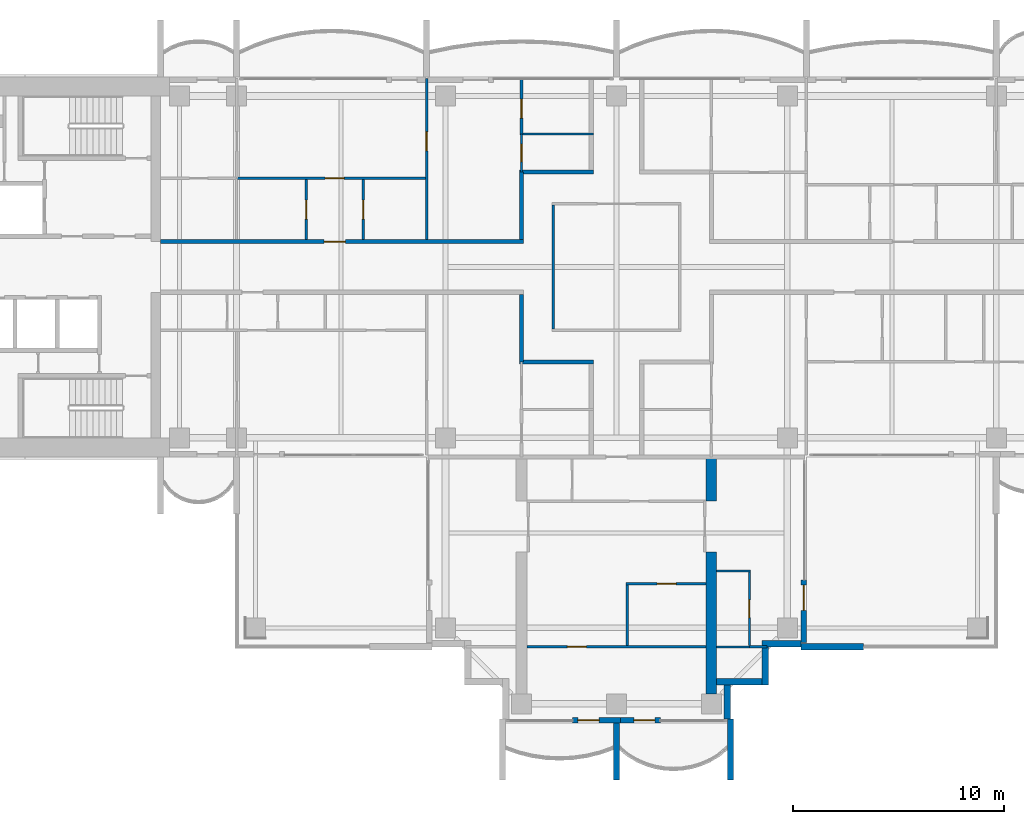
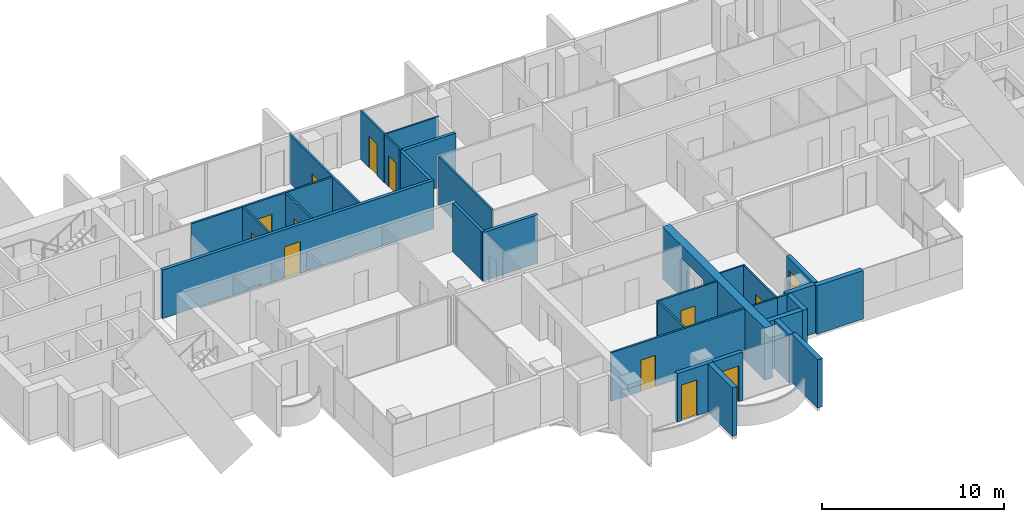
# One storey, part 10 of 18: 31 walls, 13 doors, 13 openings.
"""IFC4 building model written with IfcOpenShell, lengths in metres."""

from ifc_helpers import new_model, si_unit, direction, frame, frame_2d, origin, place, context, subcontext, project, spatial, polyline, rectangle, outline, extrude, material, layer, layer_set, material_profile, profile_set, type_object, element, fill, save


model = new_model("IFC4")

# Units and contexts
model_context = context("Model", 3, precision=1e-05, world=origin(), true_north=direction((0.0, 1.0)))
body_context = subcontext(model_context, "Body", "Model", "MODEL_VIEW")
ifc_project = project(units=[si_unit("LENGTHUNIT", "METRE"), si_unit("AREAUNIT", "SQUARE_METRE"), si_unit("VOLUMEUNIT", "CUBIC_METRE"), si_unit("PLANEANGLEUNIT", "RADIAN"), si_unit("MASSUNIT", "GRAM", prefix="KILO")], contexts=[model_context])

# Site, building, storey
site_placement = place(None, origin())
site = spatial("IfcSite", under=ifc_project, at=site_placement, CompositionType="ELEMENT")
building_placement = place(site_placement, origin())
building = spatial("IfcBuilding", under=site, at=building_placement, Name="Perihelion Cross Residences", CompositionType="ELEMENT")
storey_placement = place(building_placement, frame((0.0, 0.0, 177.10009765625)))
storey = spatial("IfcBuildingStorey", under=building, at=storey_placement, Name="L43", CompositionType="ELEMENT", Elevation=177.10009765625)

# Wall, opening, door
ifc_material_1 = material(Name="Plasterboard partition")
ifc_layer_1 = layer(ifc_material_1, 0.199951171875)
ifc_layer_set_1 = layer_set([ifc_layer_1], Name="Apartment separation wall 200")
wall_type_1 = type_object("IfcWallType", Name="Apartment separation wall 200", PredefinedType="PARTITIONING", material=ifc_layer_set_1)
wall_1_placement = place(storey_placement, frame((-21.60009765625, 1.199951171875, 0.0), z_axis=(0.0, 0.0, 1.0), x_axis=(1.0, 0.0, 0.0)))
wall_1 = element("IfcWall", 1, at=wall_1_placement, inside=storey, type_object=wall_type_1, Name="Partition L43 W013", PredefinedType="PARTITIONING", context=body_context, shape_type="SweptSolid", body=[
    extrude(rectangle(XDim=17.2001953125, YDim=0.199951171875, at=frame_2d((8.60009765625, 0.0))), origin(), (0.0, 0.0, 1.0), 3.25),
])
opening_1_placement = place(wall_1_placement, frame((7.75, 0.0, 0.0)))
opening_1 = element("IfcOpeningElement", 2, at=opening_1_placement, cuts=wall_1, Name="Opening L43.A42", PredefinedType="OPENING", context=body_context, shape_type="SweptSolid", body=[
    extrude(rectangle(XDim=1.0, YDim=2.10009765625, at=frame_2d((0.5, 1.050048828125))), frame((0.0, 0.10986328125, 0.0), z_axis=(0.0, -1.0, 0.0), x_axis=(1.0, 0.0, 0.0)), (0.0, 0.0, 1.0), 0.219970703125),
])
ifc_material_2 = material(Name="Timber door leaf", Category="wood")
door_type_1 = type_object("IfcDoorType", Name="Flat entrance door 1000 x 2100", OperationType="SINGLE_SWING_LEFT", PredefinedType="DOOR", material=ifc_material_2)
door_1_placement = place(opening_1_placement, origin())
door_1 = element("IfcDoor", 3, at=door_1_placement, inside=storey, type_object=door_type_1, Name="Door L43.A42", OperationType="SINGLE_SWING_RIGHT", OverallHeight=2.10009765625, OverallWidth=1.0, PredefinedType="DOOR", context=body_context, shape_type="SweptSolid", body=[
    extrude(rectangle(XDim=1.0, YDim=2.10009765625, at=frame_2d((0.5, 1.050048828125))), frame((0.0, 0.02490234375, 0.0), z_axis=(0.0, -1.0, 0.0), x_axis=(1.0, 0.0, 0.0)), (0.0, 0.0, 1.0), 0.050048828125),
])
fill(opening_1, door_1)

# Walls
wall_2_placement = place(storey_placement, frame((-4.5, 1.300048828125, 0.0), z_axis=(0.0, 0.0, 1.0), x_axis=(0.0, 1.0, 0.0)))
element("IfcWall", 4, at=wall_2_placement, inside=storey, type_object=wall_type_1, Name="Partition L43 W014", PredefinedType="PARTITIONING", context=body_context, shape_type="SweptSolid", body=[
    extrude(rectangle(XDim=3.199951171875, YDim=0.199951171875, at=frame_2d((1.60009765625, 0.0))), origin(), (0.0, 0.0, 1.0), 3.25),
])
wall_3_placement = place(storey_placement, frame((-4.60009765625, 4.5, 0.0), z_axis=(0.0, 0.0, 1.0), x_axis=(1.0, 0.0, 0.0)))
element("IfcWall", 5, at=wall_3_placement, inside=storey, type_object=wall_type_1, Name="Partition L43 W015", PredefinedType="PARTITIONING", context=body_context, shape_type="SweptSolid", body=[
    extrude(rectangle(XDim=3.5, YDim=0.199951171875, at=frame_2d((1.75, 0.0))), origin(), (0.0, 0.0, 1.0), 3.25),
])
wall_4_placement = place(storey_placement, frame((-4.5, -4.5, 0.0), z_axis=(0.0, 0.0, 1.0), x_axis=(0.0, 1.0, 0.0)))
element("IfcWall", 6, at=wall_4_placement, inside=storey, type_object=wall_type_1, Name="Partition L43 W018", PredefinedType="PARTITIONING", context=body_context, shape_type="SweptSolid", body=[
    extrude(rectangle(XDim=3.199951171875, YDim=0.199951171875, at=frame_2d((1.60009765625, 0.0))), origin(), (0.0, 0.0, 1.0), 3.25),
])
wall_5_placement = place(storey_placement, frame((-1.10009765625, -4.5, 0.0), z_axis=(0.0, 0.0, 1.0), x_axis=(-1.0, 0.0, 0.0)))
element("IfcWall", 7, at=wall_5_placement, inside=storey, type_object=wall_type_1, Name="Partition L43 W020", PredefinedType="PARTITIONING", context=body_context, shape_type="SweptSolid", body=[
    extrude(rectangle(XDim=3.5, YDim=0.199951171875, at=frame_2d((1.75, 0.0))), origin(), (0.0, 0.0, 1.0), 3.25),
])

# Wall, opening, door
ifc_material_3 = material(Name="Concrete C30/37, bronze-clad", Category="concrete")
ifc_layer_2 = layer(ifc_material_3, 0.25)
ifc_layer_set_2 = layer_set([ifc_layer_2], Name="Bronze-clad pier wall 250")
wall_type_2 = type_object("IfcWallType", Name="Bronze-clad pier wall 250", PredefinedType="SOLIDWALL", material=ifc_layer_set_2)
wall_6_placement = place(storey_placement, frame((-2.074951171875, -21.47509765625, 0.0), z_axis=(0.0, 0.0, 1.0), x_axis=(1.0, 0.0, 0.0)))
wall_6 = element("IfcWall", 8, at=wall_6_placement, inside=storey, type_object=wall_type_2, Name="Wall FW1 L43 south tip south bay 1 pier", PredefinedType="SOLIDWALL", context=body_context, shape_type="SweptSolid", body=[
    extrude(rectangle(XDim=2.27490234375, YDim=0.25, at=frame_2d((1.137451171875, 0.0))), origin(), (0.0, 0.0, 1.0), 3.25),
])
opening_2_placement = place(wall_6_placement, frame((0.25, 0.0, 0.0)))
opening_2 = element("IfcOpeningElement", 9, at=opening_2_placement, cuts=wall_6, Name="Opening L43.E10", PredefinedType="OPENING", context=body_context, shape_type="SweptSolid", body=[
    extrude(rectangle(XDim=1.0, YDim=2.39990234375, at=frame_2d((0.5, 1.199951171875))), frame((0.0, 0.135009765625, 0.0), z_axis=(0.0, -1.0, 0.0), x_axis=(1.0, 0.0, 0.0)), (0.0, 0.0, 1.0), 0.27001953125),
])
ifc_material_4 = material(Name="Bronze anodised aluminium, glazed", Category="aluminium")
door_type_2 = type_object("IfcDoorType", Name="Balcony door 1000 x 2400", OperationType="NOTDEFINED", PredefinedType="DOOR", material=ifc_material_4)
door_2_placement = place(opening_2_placement, origin())
door_2 = element("IfcDoor", 10, at=door_2_placement, inside=storey, type_object=door_type_2, Name="Door L43.E10 south tip south bay 1", OperationType="SINGLE_SWING_RIGHT", OverallHeight=2.39990234375, OverallWidth=1.0, PredefinedType="DOOR", context=body_context, shape_type="SweptSolid", body=[
    extrude(rectangle(XDim=1.0, YDim=2.39990234375, at=frame_2d((0.5, 1.199951171875))), frame((0.0, 0.02490234375, 0.0), z_axis=(0.0, -1.0, 0.0), x_axis=(1.0, 0.0, 0.0)), (0.0, 0.0, 1.0), 0.050048828125),
])
fill(opening_2, door_2)

wall_7_placement = place(storey_placement, frame((0.199951171875, -21.47509765625, 0.0), z_axis=(0.0, 0.0, 1.0), x_axis=(1.0, 0.0, 0.0)))
wall_7 = element("IfcWall", 11, at=wall_7_placement, inside=storey, type_object=wall_type_2, Name="Wall FW1 L43 south tip south bay 2 pier", PredefinedType="SOLIDWALL", context=body_context, shape_type="SweptSolid", body=[
    extrude(rectangle(XDim=1.875, YDim=0.25, at=frame_2d((0.9375, 0.0))), origin(), (0.0, 0.0, 1.0), 3.25),
])
opening_3_placement = place(wall_7_placement, frame((0.625, 0.0, 0.0)))
opening_3 = element("IfcOpeningElement", 12, at=opening_3_placement, cuts=wall_7, Name="Opening L43.E11", PredefinedType="OPENING", context=body_context, shape_type="SweptSolid", body=[
    extrude(rectangle(XDim=1.0, YDim=2.39990234375, at=frame_2d((0.5, 1.199951171875))), frame((0.0, 0.135009765625, 0.0), z_axis=(0.0, -1.0, 0.0), x_axis=(1.0, 0.0, 0.0)), (0.0, 0.0, 1.0), 0.27001953125),
])
door_3_placement = place(opening_3_placement, origin())
door_3 = element("IfcDoor", 13, at=door_3_placement, inside=storey, type_object=door_type_2, Name="Door L43.E11 south tip south bay 2", OperationType="SINGLE_SWING_LEFT", OverallHeight=2.39990234375, OverallWidth=1.0, PredefinedType="DOOR", context=body_context, shape_type="SweptSolid", body=[
    extrude(rectangle(XDim=1.0, YDim=2.39990234375, at=frame_2d((0.5, 1.199951171875))), frame((0.0, 0.02490234375, 0.0), z_axis=(0.0, -1.0, 0.0), x_axis=(1.0, 0.0, 0.0)), (0.0, 0.0, 1.0), 0.050048828125),
])
fill(opening_3, door_3)

wall_8_placement = place(storey_placement, frame((8.875, -17.800048828125, 0.0), z_axis=(0.0, 0.0, 1.0), x_axis=(0.0, 1.0, 0.0)))
wall_8 = element("IfcWall", 14, at=wall_8_placement, inside=storey, type_object=wall_type_2, Name="Wall FW1 L43 south side east bay 1 pier", PredefinedType="SOLIDWALL", context=body_context, shape_type="SweptSolid", body=[
    extrude(rectangle(XDim=2.97509765625, YDim=0.25, at=frame_2d((1.487548828125, 0.0))), origin(), (0.0, 0.0, 1.0), 3.25),
])
opening_4_placement = place(wall_8_placement, frame((1.52490234375, 0.0, 0.0)))
opening_4 = element("IfcOpeningElement", 15, at=opening_4_placement, cuts=wall_8, Name="Opening L43.E12", PredefinedType="OPENING", context=body_context, shape_type="SweptSolid", body=[
    extrude(rectangle(XDim=1.199951171875, YDim=2.39990234375, at=frame_2d((0.60009765625, 1.199951171875))), frame((0.0, 0.135009765625, 0.0), z_axis=(0.0, -1.0, 0.0), x_axis=(1.0, 0.0, 0.0)), (0.0, 0.0, 1.0), 0.27001953125),
])
ifc_material_5 = material(Name="Bronze anodised aluminium, glazed", Category="aluminium")
door_type_3 = type_object("IfcDoorType", Name="Balcony door 1200 x 2400", OperationType="NOTDEFINED", PredefinedType="DOOR", material=ifc_material_5)
door_4_placement = place(opening_4_placement, origin())
door_4 = element("IfcDoor", 16, at=door_4_placement, inside=storey, type_object=door_type_3, Name="Door L43.E12 south side east bay 1", OperationType="SINGLE_SWING_RIGHT", OverallHeight=2.39990234375, OverallWidth=1.199951171875, PredefinedType="DOOR", context=body_context, shape_type="SweptSolid", body=[
    extrude(rectangle(XDim=1.199951171875, YDim=2.39990234375, at=frame_2d((0.60009765625, 1.199951171875))), frame((0.0, 0.02490234375, 0.0), z_axis=(0.0, -1.0, 0.0), x_axis=(1.0, 0.0, 0.0)), (0.0, 0.0, 1.0), 0.050048828125),
])
fill(opening_4, door_4)

# Walls
ifc_material_6 = material(Name="Concrete C30/37, bronze-clad", Category="concrete")
ifc_layer_3 = layer(ifc_material_6, 0.300048828125)
ifc_layer_set_3 = layer_set([ifc_layer_3], Name="Bronze-clad serration wall 300")
wall_type_3 = type_object("IfcWallType", Name="Bronze-clad serration wall 300", PredefinedType="SOLIDWALL", material=ifc_layer_set_3)
wall_9_placement = place(storey_placement, frame((5.25, -21.419921875, 0.0), z_axis=(0.0, 0.0, 1.0), x_axis=(0.0, 1.0, 0.0)))
element("IfcWall", 17, at=wall_9_placement, inside=storey, type_object=wall_type_3, Name="Wall SR1 L43 south corner south-east 1", PredefinedType="SOLIDWALL", context=body_context, shape_type="SweptSolid", body=[
    extrude(rectangle(XDim=1.619873046875, YDim=0.300048828125, at=frame_2d((0.81005859375, 0.0))), origin(), (0.0, 0.0, 1.0), 3.25),
])
wall_10_placement = place(storey_placement, frame((4.75, -19.64990234375, 0.0), z_axis=(0.0, 0.0, 1.0), x_axis=(1.0, 0.0, 0.0)))
element("IfcWall", 18, at=wall_10_placement, inside=storey, type_object=wall_type_3, Name="Wall SR1 L43 south corner south-east 2", PredefinedType="SOLIDWALL", context=body_context, shape_type="SweptSolid", body=[
    extrude(rectangle(XDim=2.14990234375, YDim=0.300048828125, at=frame_2d((1.074951171875, 0.0))), origin(), (0.0, 0.0, 1.0), 3.25),
])
wall_11_placement = place(storey_placement, frame((7.050048828125, -19.800048828125, 0.0), z_axis=(0.0, 0.0, 1.0), x_axis=(0.0, 1.0, 0.0)))
element("IfcWall", 19, at=wall_11_placement, inside=storey, type_object=wall_type_3, Name="Wall SR1 L43 south corner south-east 3", PredefinedType="SOLIDWALL", context=body_context, shape_type="SweptSolid", body=[
    extrude(rectangle(XDim=1.800048828125, YDim=0.300048828125, at=frame_2d((0.89990234375, 0.0))), origin(), (0.0, 0.0, 1.0), 3.25),
])
wall_12_placement = place(storey_placement, frame((6.89990234375, -17.85009765625, 0.0), z_axis=(0.0, 0.0, 1.0), x_axis=(1.0, 0.0, 0.0)))
element("IfcWall", 20, at=wall_12_placement, inside=storey, type_object=wall_type_3, Name="Wall SR1 L43 south corner south-east 4", PredefinedType="SOLIDWALL", context=body_context, shape_type="SweptSolid", body=[
    extrude(rectangle(XDim=1.85009765625, YDim=0.300048828125, at=frame_2d((0.925048828125, 0.0))), origin(), (0.0, 0.0, 1.0), 3.25),
])
ifc_material_7 = material(Name="Plasterboard partition")
ifc_layer_4 = layer(ifc_material_7, 0.1201171875)
ifc_layer_set_4 = layer_set([ifc_layer_4], Name="Partition wall 120")
wall_type_4 = type_object("IfcWallType", Name="Partition wall 120", PredefinedType="PARTITIONING", material=ifc_layer_set_4)
wall_13_placement = place(storey_placement, frame((-3.0, 2.93994140625, 0.0), z_axis=(0.0, 0.0, 1.0), x_axis=(0.0, -1.0, 0.0)))
element("IfcWall", 21, at=wall_13_placement, inside=storey, type_object=wall_type_4, Name="Partition L43 W004", PredefinedType="PARTITIONING", context=body_context, shape_type="SweptSolid", body=[
    extrude(rectangle(XDim=5.8798828125, YDim=0.1201171875, at=frame_2d((2.93994140625, 0.0))), origin(), (0.0, 0.0, 1.0), 3.25),
])

# Wall, opening, door
wall_14_placement = place(storey_placement, frame((-12.0, 1.300048828125, 0.0), z_axis=(0.0, 0.0, 1.0), x_axis=(0.0, 1.0, 0.0)))
wall_14 = element("IfcWall", 22, at=wall_14_placement, inside=storey, type_object=wall_type_4, Name="Partition L43 W043", PredefinedType="PARTITIONING", context=body_context, shape_type="SweptSolid", body=[
    extrude(rectangle(XDim=2.83984375, YDim=0.1201171875, at=frame_2d((1.419921875, 0.0))), origin(), (0.0, 0.0, 1.0), 3.25),
])
opening_5_placement = place(wall_14_placement, frame((0.969970703125, 0.0, 0.0)))
opening_5 = element("IfcOpeningElement", 23, at=opening_5_placement, cuts=wall_14, Name="Opening L43.A20", PredefinedType="OPENING", context=body_context, shape_type="SweptSolid", body=[
    extrude(rectangle(XDim=0.89990234375, YDim=2.10009765625, at=frame_2d((0.449951171875, 1.050048828125))), frame((0.0, 0.070068359375, 0.0), z_axis=(0.0, -1.0, 0.0), x_axis=(1.0, 0.0, 0.0)), (0.0, 0.0, 1.0), 0.14013671875),
])
ifc_material_8 = material(Name="Timber door leaf", Category="wood")
door_type_4 = type_object("IfcDoorType", Name="Interior room door 900 x 2100", OperationType="SINGLE_SWING_LEFT", PredefinedType="DOOR", material=ifc_material_8)
door_5_placement = place(opening_5_placement, origin())
door_5 = element("IfcDoor", 24, at=door_5_placement, inside=storey, type_object=door_type_4, Name="Door L43.A20", OperationType="SINGLE_SWING_LEFT", OverallHeight=2.10009765625, OverallWidth=0.89990234375, PredefinedType="DOOR", context=body_context, shape_type="SweptSolid", body=[
    extrude(rectangle(XDim=0.89990234375, YDim=2.10009765625, at=frame_2d((0.449951171875, 1.050048828125))), frame((0.0, 0.02490234375, 0.0), z_axis=(0.0, -1.0, 0.0), x_axis=(1.0, 0.0, 0.0)), (0.0, 0.0, 1.0), 0.050048828125),
])
fill(opening_5, door_5)

wall_15_placement = place(storey_placement, frame((-18.0, 4.199951171875, 0.0), z_axis=(0.0, 0.0, 1.0), x_axis=(1.0, 0.0, 0.0)))
wall_15 = element("IfcWall", 25, at=wall_15_placement, inside=storey, type_object=wall_type_4, Name="Partition L43 W044", PredefinedType="PARTITIONING", context=body_context, shape_type="SweptSolid", body=[
    extrude(rectangle(XDim=9.06005859375, YDim=0.1201171875, at=frame_2d((4.530029296875, 0.0))), origin(), (0.0, 0.0, 1.0), 3.25),
])
opening_6_placement = place(wall_15_placement, frame((4.199951171875, 0.0, 0.0)))
opening_6 = element("IfcOpeningElement", 26, at=opening_6_placement, cuts=wall_15, Name="Opening L43.A21", PredefinedType="OPENING", context=body_context, shape_type="SweptSolid", body=[
    extrude(rectangle(XDim=0.89990234375, YDim=2.10009765625, at=frame_2d((0.449951171875, 1.050048828125))), frame((0.0, 0.070068359375, 0.0), z_axis=(0.0, -1.0, 0.0), x_axis=(1.0, 0.0, 0.0)), (0.0, 0.0, 1.0), 0.14013671875),
])
door_6_placement = place(opening_6_placement, origin())
door_6 = element("IfcDoor", 27, at=door_6_placement, inside=storey, type_object=door_type_4, Name="Door L43.A21", OperationType="SINGLE_SWING_RIGHT", OverallHeight=2.10009765625, OverallWidth=0.89990234375, PredefinedType="DOOR", context=body_context, shape_type="SweptSolid", body=[
    extrude(rectangle(XDim=0.89990234375, YDim=2.10009765625, at=frame_2d((0.449951171875, 1.050048828125))), frame((0.0, 0.02490234375, 0.0), z_axis=(0.0, -1.0, 0.0), x_axis=(1.0, 0.0, 0.0)), (0.0, 0.0, 1.0), 0.050048828125),
])
fill(opening_6, door_6)

wall_16_placement = place(storey_placement, frame((-9.0, 8.919921875, 0.0), z_axis=(0.0, 0.0, 1.0), x_axis=(0.0, -1.0, 0.0)))
wall_16 = element("IfcWall", 28, at=wall_16_placement, inside=storey, type_object=wall_type_4, Name="Partition L43 W045", PredefinedType="PARTITIONING", context=body_context, shape_type="SweptSolid", body=[
    extrude(rectangle(XDim=7.619873046875, YDim=0.1201171875, at=frame_2d((3.81005859375, 0.0))), origin(), (0.0, 0.0, 1.0), 3.25),
])
opening_7_placement = place(wall_16_placement, frame((2.52001953125, 0.0, 0.0)))
opening_7 = element("IfcOpeningElement", 29, at=opening_7_placement, cuts=wall_16, Name="Opening L43.A22", PredefinedType="OPENING", context=body_context, shape_type="SweptSolid", body=[
    extrude(rectangle(XDim=0.89990234375, YDim=2.10009765625, at=frame_2d((0.449951171875, 1.050048828125))), frame((0.0, 0.070068359375, 0.0), z_axis=(0.0, -1.0, 0.0), x_axis=(1.0, 0.0, 0.0)), (0.0, 0.0, 1.0), 0.14013671875),
])
door_7_placement = place(opening_7_placement, origin())
door_7 = element("IfcDoor", 30, at=door_7_placement, inside=storey, type_object=door_type_4, Name="Door L43.A22", OperationType="SINGLE_SWING_RIGHT", OverallHeight=2.10009765625, OverallWidth=0.89990234375, PredefinedType="DOOR", context=body_context, shape_type="SweptSolid", body=[
    extrude(rectangle(XDim=0.89990234375, YDim=2.10009765625, at=frame_2d((0.449951171875, 1.050048828125))), frame((0.0, 0.02490234375, 0.0), z_axis=(0.0, -1.0, 0.0), x_axis=(1.0, 0.0, 0.0)), (0.0, 0.0, 1.0), 0.050048828125),
])
fill(opening_7, door_7)

wall_17_placement = place(storey_placement, frame((-14.699951171875, 1.300048828125, 0.0), z_axis=(0.0, 0.0, 1.0), x_axis=(0.0, 1.0, 0.0)))
wall_17 = element("IfcWall", 31, at=wall_17_placement, inside=storey, type_object=wall_type_4, Name="Partition L43 W046", PredefinedType="PARTITIONING", context=body_context, shape_type="SweptSolid", body=[
    extrude(rectangle(XDim=2.83984375, YDim=0.1201171875, at=frame_2d((1.419921875, 0.0))), origin(), (0.0, 0.0, 1.0), 3.25),
])
opening_8_placement = place(wall_17_placement, frame((0.969970703125, 0.0, 0.0)))
opening_8 = element("IfcOpeningElement", 32, at=opening_8_placement, cuts=wall_17, Name="Opening L43.A24", PredefinedType="OPENING", context=body_context, shape_type="SweptSolid", body=[
    extrude(rectangle(XDim=0.89990234375, YDim=2.10009765625, at=frame_2d((0.449951171875, 1.050048828125))), frame((0.0, 0.070068359375, 0.0), z_axis=(0.0, -1.0, 0.0), x_axis=(1.0, 0.0, 0.0)), (0.0, 0.0, 1.0), 0.14013671875),
])
door_8_placement = place(opening_8_placement, origin())
door_8 = element("IfcDoor", 33, at=door_8_placement, inside=storey, type_object=door_type_4, Name="Door L43.A24", OperationType="SINGLE_SWING_RIGHT", OverallHeight=2.10009765625, OverallWidth=0.89990234375, PredefinedType="DOOR", context=body_context, shape_type="SweptSolid", body=[
    extrude(rectangle(XDim=0.89990234375, YDim=2.10009765625, at=frame_2d((0.449951171875, 1.050048828125))), frame((0.0, 0.02490234375, 0.0), z_axis=(0.0, -1.0, 0.0), x_axis=(1.0, 0.0, 0.0)), (0.0, 0.0, 1.0), 0.050048828125),
])
fill(opening_8, door_8)

wall_18_placement = place(storey_placement, frame((-4.5, 8.919921875, 0.0), z_axis=(0.0, 0.0, 1.0), x_axis=(0.0, -1.0, 0.0)))
wall_18 = element("IfcWall", 34, at=wall_18_placement, inside=storey, type_object=wall_type_4, Name="Partition L43 W051", PredefinedType="PARTITIONING", context=body_context, shape_type="SweptSolid", body=[
    extrude(rectangle(XDim=2.619873046875, YDim=0.1201171875, at=frame_2d((1.31005859375, 0.0))), origin(), (0.0, 0.0, 1.0), 3.25),
])
opening_9_placement = place(wall_18_placement, frame((0.969970703125, 0.0, 0.0)))
opening_9 = element("IfcOpeningElement", 35, at=opening_9_placement, cuts=wall_18, Name="Opening L43.A23", PredefinedType="OPENING", context=body_context, shape_type="SweptSolid", body=[
    extrude(rectangle(XDim=0.89990234375, YDim=2.10009765625, at=frame_2d((0.449951171875, 1.050048828125))), frame((0.0, 0.070068359375, 0.0), z_axis=(0.0, -1.0, 0.0), x_axis=(1.0, 0.0, 0.0)), (0.0, 0.0, 1.0), 0.14013671875),
])
door_9_placement = place(opening_9_placement, origin())
door_9 = element("IfcDoor", 36, at=door_9_placement, inside=storey, type_object=door_type_4, Name="Door L43.A23", OperationType="SINGLE_SWING_LEFT", OverallHeight=2.10009765625, OverallWidth=0.89990234375, PredefinedType="DOOR", context=body_context, shape_type="SweptSolid", body=[
    extrude(rectangle(XDim=0.89990234375, YDim=2.10009765625, at=frame_2d((0.449951171875, 1.050048828125))), frame((0.0, 0.02490234375, 0.0), z_axis=(0.0, -1.0, 0.0), x_axis=(1.0, 0.0, 0.0)), (0.0, 0.0, 1.0), 0.050048828125),
])
fill(opening_9, door_9)

wall_19_placement = place(storey_placement, frame((4.25, -15.0, 0.0), z_axis=(0.0, 0.0, 1.0), x_axis=(-1.0, 0.0, 0.0)))
wall_19 = element("IfcWall", 37, at=wall_19_placement, inside=storey, type_object=wall_type_4, Name="Partition L43 W066", PredefinedType="PARTITIONING", context=body_context, shape_type="SweptSolid", body=[
    extrude(rectangle(XDim=3.81005859375, YDim=0.1201171875, at=frame_2d((1.905029296875, 0.0))), origin(), (0.0, 0.0, 1.0), 3.25),
])
opening_10_placement = place(wall_19_placement, frame((1.425048828125, 0.0, 0.0)))
opening_10 = element("IfcOpeningElement", 38, at=opening_10_placement, cuts=wall_19, Name="Opening L43.A37", PredefinedType="OPENING", context=body_context, shape_type="SweptSolid", body=[
    extrude(rectangle(XDim=0.89990234375, YDim=2.10009765625, at=frame_2d((0.449951171875, 1.050048828125))), frame((0.0, 0.070068359375, 0.0), z_axis=(0.0, -1.0, 0.0), x_axis=(1.0, 0.0, 0.0)), (0.0, 0.0, 1.0), 0.14013671875),
])
door_10_placement = place(opening_10_placement, origin())
door_10 = element("IfcDoor", 39, at=door_10_placement, inside=storey, type_object=door_type_4, Name="Door L43.A37", OperationType="SINGLE_SWING_RIGHT", OverallHeight=2.10009765625, OverallWidth=0.89990234375, PredefinedType="DOOR", context=body_context, shape_type="SweptSolid", body=[
    extrude(rectangle(XDim=0.89990234375, YDim=2.10009765625, at=frame_2d((0.449951171875, 1.050048828125))), frame((0.0, 0.02490234375, 0.0), z_axis=(0.0, -1.0, 0.0), x_axis=(1.0, 0.0, 0.0)), (0.0, 0.0, 1.0), 0.050048828125),
])
fill(opening_10, door_10)

# Wall
wall_20_placement = place(storey_placement, frame((0.5, -15.06005859375, 0.0), z_axis=(0.0, 0.0, 1.0), x_axis=(0.0, -1.0, 0.0)))
element("IfcWall", 40, at=wall_20_placement, inside=storey, type_object=wall_type_4, Name="Partition L43 W067", PredefinedType="PARTITIONING", context=body_context, shape_type="SweptSolid", body=[
    extrude(rectangle(XDim=2.8798828125, YDim=0.1201171875, at=frame_2d((1.43994140625, 0.0))), origin(), (0.0, 0.0, 1.0), 3.25),
])

# Wall, opening, door
wall_21_placement = place(storey_placement, frame((4.25, -18.0, 0.0), z_axis=(0.0, 0.0, 1.0), x_axis=(-1.0, 0.0, 0.0)))
wall_21 = element("IfcWall", 41, at=wall_21_placement, inside=storey, type_object=wall_type_4, Name="Partition L43 W068", PredefinedType="PARTITIONING", context=body_context, shape_type="SweptSolid", body=[
    extrude(rectangle(XDim=8.5, YDim=0.1201171875, at=frame_2d((4.25, 0.0))), origin(), (0.0, 0.0, 1.0), 3.25),
])
opening_11_placement = place(wall_21_placement, frame((5.675048828125, 0.0, 0.0)))
opening_11 = element("IfcOpeningElement", 42, at=opening_11_placement, cuts=wall_21, Name="Opening L43.A38", PredefinedType="OPENING", context=body_context, shape_type="SweptSolid", body=[
    extrude(rectangle(XDim=0.89990234375, YDim=2.10009765625, at=frame_2d((0.449951171875, 1.050048828125))), frame((0.0, 0.070068359375, 0.0), z_axis=(0.0, -1.0, 0.0), x_axis=(1.0, 0.0, 0.0)), (0.0, 0.0, 1.0), 0.14013671875),
])
door_11_placement = place(opening_11_placement, origin())
door_11 = element("IfcDoor", 43, at=door_11_placement, inside=storey, type_object=door_type_4, Name="Door L43.A38", OperationType="SINGLE_SWING_LEFT", OverallHeight=2.10009765625, OverallWidth=0.89990234375, PredefinedType="DOOR", context=body_context, shape_type="SweptSolid", body=[
    extrude(rectangle(XDim=0.89990234375, YDim=2.10009765625, at=frame_2d((0.449951171875, 1.050048828125))), frame((0.0, 0.02490234375, 0.0), z_axis=(0.0, -1.0, 0.0), x_axis=(1.0, 0.0, 0.0)), (0.0, 0.0, 1.0), 0.050048828125),
])
fill(opening_11, door_11)

# Walls
wall_22_placement = place(storey_placement, frame((7.1201171875, -18.0, 0.0), z_axis=(0.0, 0.0, 1.0), x_axis=(-1.0, 0.0, 0.0)))
element("IfcWall", 44, at=wall_22_placement, inside=storey, type_object=wall_type_4, Name="Partition L43 W071", PredefinedType="PARTITIONING", context=body_context, shape_type="SweptSolid", body=[
    extrude(rectangle(XDim=0.820068359375, YDim=0.1201171875, at=frame_2d((0.41015625, 0.0))), origin(), (0.0, 0.0, 1.0), 3.25),
])
ifc_material_9 = material(Name="Precast concrete C50/60", Category="concrete")
ifc_layer_5 = layer(ifc_material_9, 0.300048828125)
ifc_layer_set_5 = layer_set([ifc_layer_5], Name="Precast concrete C50/60 blade wall 300")
wall_type_5 = type_object("IfcWallType", Name="Precast concrete C50/60 blade wall 300", PredefinedType="SOLIDWALL", material=ifc_layer_set_5)
wall_23_placement = place(storey_placement, frame((0.0, -21.60009765625, 0.0), z_axis=(0.0, 0.0, 1.0), x_axis=(0.0, -1.0, 0.0)))
element("IfcWall", 45, at=wall_23_placement, inside=storey, type_object=wall_type_5, Name="Wall BL1 L43 no. 8", PredefinedType="SOLIDWALL", context=body_context, shape_type="SweptSolid", body=[
    extrude(rectangle(XDim=2.699951171875, YDim=0.300048828125, at=frame_2d((1.35009765625, 0.0))), origin(), (0.0, 0.0, 1.0), 3.25),
])
wall_24_placement = place(storey_placement, frame((5.39990234375, -21.419921875, 0.0), z_axis=(0.0, 0.0, 1.0), x_axis=(0.0, -1.0, 0.0)))
element("IfcWall", 46, at=wall_24_placement, inside=storey, type_object=wall_type_5, Name="Wall BL1 L43 no. 14", PredefinedType="SOLIDWALL", context=body_context, shape_type="SweptSolid", body=[
    extrude(rectangle(XDim=2.880126953125, YDim=0.300048828125, at=frame_2d((1.43994140625, 0.0))), origin(), (0.0, 0.0, 1.0), 3.25),
])
wall_25_placement = place(storey_placement, frame((8.75, -18.0, 0.0), z_axis=(0.0, 0.0, 1.0), x_axis=(1.0, 0.0, 0.0)))
element("IfcWall", 47, at=wall_25_placement, inside=storey, type_object=wall_type_5, Name="Wall BL1 L43 no. 15", PredefinedType="SOLIDWALL", context=body_context, shape_type="SweptSolid", body=[
    extrude(rectangle(XDim=2.949951171875, YDim=0.300048828125, at=frame_2d((1.47509765625, 0.0))), origin(), (0.0, 0.0, 1.0), 3.25),
])
ifc_material_10 = material(Name="Concrete C60/75", Category="concrete")
ifc_material_profile = material_profile(ifc_material_10, outline(polyline([(0.0, 0.0), (6.72509765625, 0.0), (6.72509765625, 2.64990234375), (9.125, 2.64990234375), (9.125, 0.0), (11.22509765625, 0.0), (11.22509765625, 3.5), (0.0, 3.5), (0.0, 0.0)])), Name="Tip spine wall")
ifc_profile_set = profile_set([ifc_material_profile], Name="Concrete C60/75")
wall_type_6 = type_object("IfcWallType", Name="Tip spine wall 500 with 1 door openings 11225 long 3500 high concrete C60/75", PredefinedType="SHEAR", material=ifc_profile_set)
wall_26_placement = place(storey_placement, frame((4.25, -20.22509765625, -0.25), z_axis=(1.0, 0.0, 0.0), x_axis=(0.0, 1.0, 0.0)))
element("IfcWall", 48, at=wall_26_placement, inside=storey, type_object=wall_type_6, Name="Shear wall SW41 L43 south east", PredefinedType="SHEAR", context=body_context, shape_type="SweptSolid", body=[
    extrude(outline(polyline([(0.0, 0.0), (6.72509765625, 0.0), (6.72509765625, 2.64990234375), (9.125, 2.64990234375), (9.125, 0.0), (11.22509765625, 0.0), (11.22509765625, 3.5), (0.0, 3.5), (0.0, 0.0)])), origin(), (0.0, 0.0, 1.0), 0.5),
])

# Wall, opening, door
ifc_material_11 = material(Name="Plasterboard partition")
ifc_layer_6 = layer(ifc_material_11, 0.10009765625)
ifc_layer_set_6 = layer_set([ifc_layer_6], Name="Wet room wall 100")
wall_type_7 = type_object("IfcWallType", Name="Wet room wall 100", PredefinedType="PARTITIONING", material=ifc_layer_set_6)
wall_27_placement = place(storey_placement, frame((-4.5, 6.300048828125, 0.0), z_axis=(0.0, 0.0, 1.0), x_axis=(0.0, -1.0, 0.0)))
wall_27 = element("IfcWall", 49, at=wall_27_placement, inside=storey, type_object=wall_type_7, Name="Partition L43 W050", PredefinedType="PARTITIONING", context=body_context, shape_type="SweptSolid", body=[
    extrude(rectangle(XDim=1.800048828125, YDim=0.10009765625, at=frame_2d((0.89990234375, 0.0))), origin(), (0.0, 0.0, 1.0), 3.25),
])
opening_12_placement = place(wall_27_placement, frame((0.47509765625, 0.0, 0.0)))
opening_12 = element("IfcOpeningElement", 50, at=opening_12_placement, cuts=wall_27, Name="Opening L43.A25", PredefinedType="OPENING", context=body_context, shape_type="SweptSolid", body=[
    extrude(rectangle(XDim=0.85009765625, YDim=2.10009765625, at=frame_2d((0.425048828125, 1.050048828125))), frame((0.0, 0.06005859375, 0.0), z_axis=(0.0, -1.0, 0.0), x_axis=(1.0, 0.0, 0.0)), (0.0, 0.0, 1.0), 0.1201171875),
])
ifc_material_12 = material(Name="Timber door leaf", Category="wood")
door_type_5 = type_object("IfcDoorType", Name="Interior bathroom door 850 x 2100", OperationType="SINGLE_SWING_LEFT", PredefinedType="DOOR", material=ifc_material_12)
door_12_placement = place(opening_12_placement, origin())
door_12 = element("IfcDoor", 51, at=door_12_placement, inside=storey, type_object=door_type_5, Name="Door L43.A25", OperationType="SINGLE_SWING_RIGHT", OverallHeight=2.10009765625, OverallWidth=0.85009765625, PredefinedType="DOOR", context=body_context, shape_type="SweptSolid", body=[
    extrude(rectangle(XDim=0.85009765625, YDim=2.10009765625, at=frame_2d((0.425048828125, 1.050048828125))), frame((0.0, 0.02490234375, 0.0), z_axis=(0.0, -1.0, 0.0), x_axis=(1.0, 0.0, 0.0)), (0.0, 0.0, 1.0), 0.050048828125),
])
fill(opening_12, door_12)

# Wall
wall_28_placement = place(storey_placement, frame((-4.56005859375, 6.300048828125, 0.0), z_axis=(0.0, 0.0, 1.0), x_axis=(1.0, 0.0, 0.0)))
element("IfcWall", 52, at=wall_28_placement, inside=storey, type_object=wall_type_7, Name="Partition L43 W052", PredefinedType="PARTITIONING", context=body_context, shape_type="SweptSolid", body=[
    extrude(rectangle(XDim=3.4599609375, YDim=0.10009765625, at=frame_2d((1.72998046875, 0.0))), origin(), (0.0, 0.0, 1.0), 3.25),
])

# Wall, opening, door
wall_29_placement = place(storey_placement, frame((6.300048828125, -17.93994140625, 0.0), z_axis=(0.0, 0.0, 1.0), x_axis=(0.0, 1.0, 0.0)))
wall_29 = element("IfcWall", 53, at=wall_29_placement, inside=storey, type_object=wall_type_7, Name="Partition L43 W069", PredefinedType="PARTITIONING", context=body_context, shape_type="SweptSolid", body=[
    extrude(rectangle(XDim=3.489990234375, YDim=0.10009765625, at=frame_2d((1.7451171875, 0.0))), origin(), (0.0, 0.0, 1.0), 3.25),
])
opening_13_placement = place(wall_29_placement, frame((1.320068359375, 0.0, 0.0)))
opening_13 = element("IfcOpeningElement", 54, at=opening_13_placement, cuts=wall_29, Name="Opening L43.A39", PredefinedType="OPENING", context=body_context, shape_type="SweptSolid", body=[
    extrude(rectangle(XDim=0.85009765625, YDim=2.10009765625, at=frame_2d((0.425048828125, 1.050048828125))), frame((0.0, 0.06005859375, 0.0), z_axis=(0.0, -1.0, 0.0), x_axis=(1.0, 0.0, 0.0)), (0.0, 0.0, 1.0), 0.1201171875),
])
door_13_placement = place(opening_13_placement, origin())
door_13 = element("IfcDoor", 55, at=door_13_placement, inside=storey, type_object=door_type_5, Name="Door L43.A39", OperationType="SINGLE_SWING_RIGHT", OverallHeight=2.10009765625, OverallWidth=0.85009765625, PredefinedType="DOOR", context=body_context, shape_type="SweptSolid", body=[
    extrude(rectangle(XDim=0.85009765625, YDim=2.10009765625, at=frame_2d((0.425048828125, 1.050048828125))), frame((0.0, 0.02490234375, 0.0), z_axis=(0.0, -1.0, 0.0), x_axis=(1.0, 0.0, 0.0)), (0.0, 0.0, 1.0), 0.050048828125),
])
fill(opening_13, door_13)

# Walls
wall_30_placement = place(storey_placement, frame((6.35009765625, -14.39990234375, 0.0), z_axis=(0.0, 0.0, 1.0), x_axis=(-1.0, 0.0, 0.0)))
element("IfcWall", 56, at=wall_30_placement, inside=storey, type_object=wall_type_7, Name="Partition L43 W070", PredefinedType="PARTITIONING", context=body_context, shape_type="SweptSolid", body=[
    extrude(rectangle(XDim=1.60009765625, YDim=0.10009765625, at=frame_2d((0.800048828125, 0.0))), origin(), (0.0, 0.0, 1.0), 3.25),
])
wall_31_placement = place(storey_placement, frame((6.300048828125, -18.0, 0.0), z_axis=(0.0, 0.0, 1.0), x_axis=(-1.0, 0.0, 0.0)))
element("IfcWall", 57, at=wall_31_placement, inside=storey, type_object=wall_type_7, Name="Partition L43 W072", PredefinedType="PARTITIONING", context=body_context, shape_type="SweptSolid", body=[
    extrude(rectangle(XDim=1.550048828125, YDim=0.10009765625, at=frame_2d((0.77490234375, 0.0))), origin(), (0.0, 0.0, 1.0), 3.25),
])

save(model, "model.ifc")
